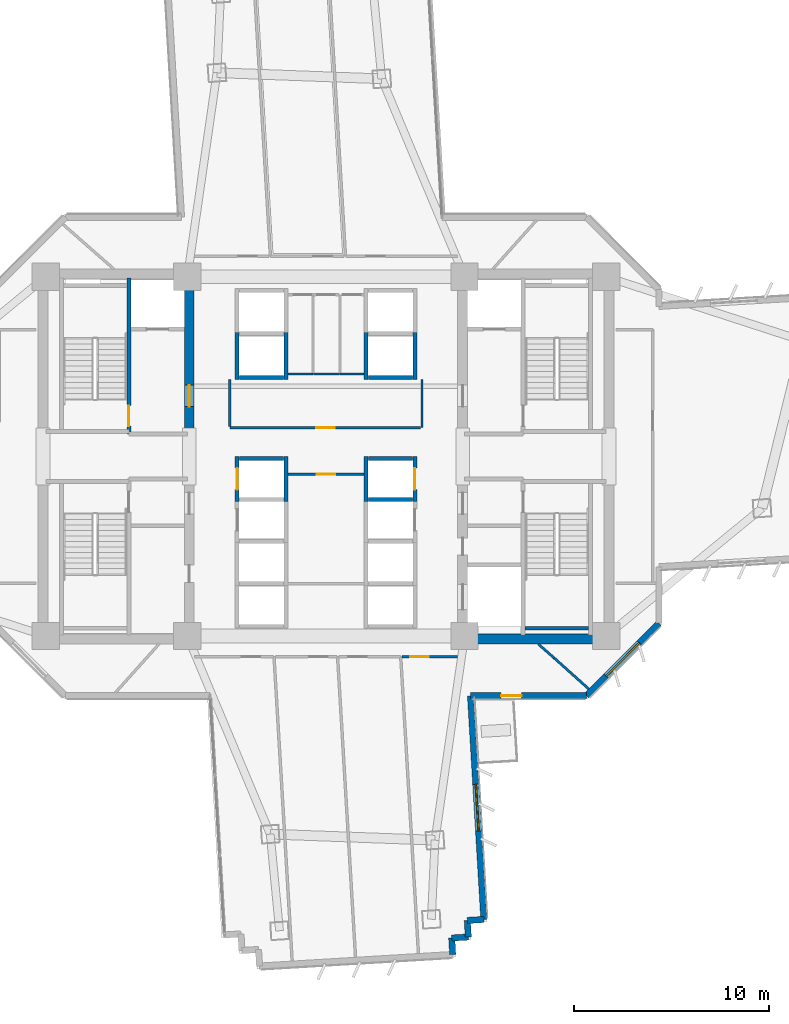
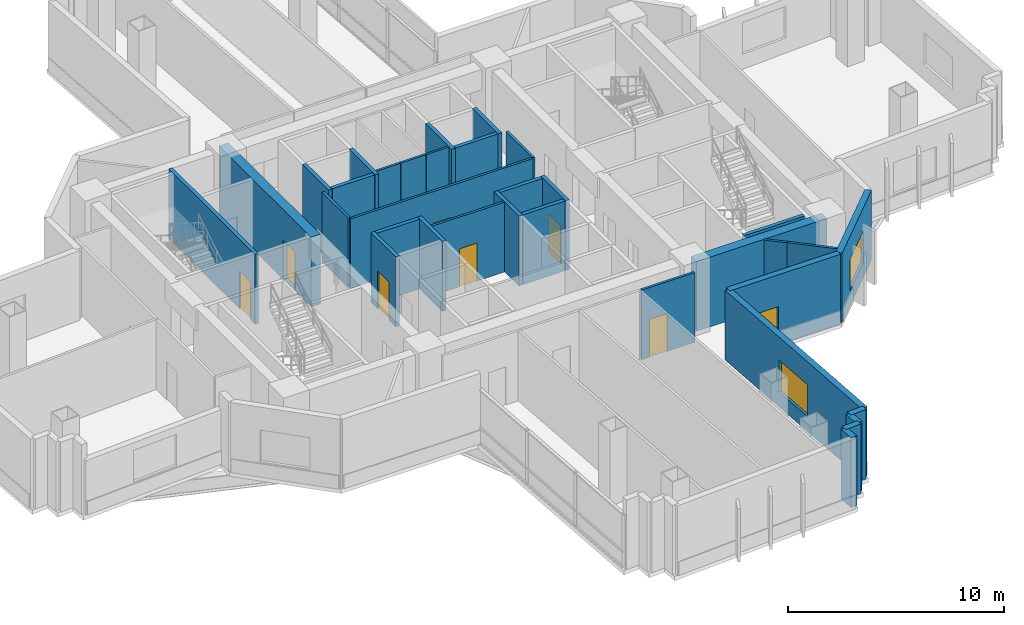
# One storey, part 7 of 15: 34 walls, 8 doors, 2 windows, 10 openings.
"""IFC4 building model written with IfcOpenShell, lengths in metres."""

import ifcopenshell
import ifcopenshell.guid

model = None  # the IFC model being written
_history = None  # IfcOwnerHistory: only IFC2X3 demands one
_inside = {}  # id of a spatial element -> (the spatial element, [elements in it])
_under = {}  # id of a project, library or spatial element -> (it, [spatial elements below it])
_declared = {}  # id of a project -> (the project, [libraries it declares])
_typed = {}  # id of a type object -> (the type object, [elements of that type])
_made_of = {}  # id of a material, layer set ... -> (it, [elements and type objects made of it])


def new_model(schema):
    """Start an empty IFC model of exactly this schema.

    Asked for "IFC4X3", IfcOpenShell would pick the latest addendum, in which some entities
    have other attributes; the version numbers below select the first issue.
    IFC2X3 requires an IfcOwnerHistory on every rooted entity: one is made here for all.
    """
    global model, _history
    if schema == "IFC4X3":
        model = ifcopenshell.file(schema_version=(4, 3, 0, 0))
    else:
        model = ifcopenshell.file(schema=schema)
    _inside.clear()
    _under.clear()
    _declared.clear()
    _typed.clear()
    _made_of.clear()
    _history = None
    if model.schema == "IFC2X3":
        org = make("IfcOrganization", Name="unknown")
        user = make(
            "IfcPersonAndOrganization",
            ThePerson=make("IfcPerson", FamilyName="unknown"),
            TheOrganization=org,
        )
        app = make(
            "IfcApplication",
            ApplicationDeveloper=org,
            Version="unknown",
            ApplicationFullName="unknown",
            ApplicationIdentifier="unknown",
        )
        _history = make(
            "IfcOwnerHistory",
            OwningUser=user,
            OwningApplication=app,
            ChangeAction="ADDED",
            CreationDate=0,
        )
    return model


def make(cls, **values):
    """One entity of the class cls with the attributes given. An attribute that is None is left unset."""
    return model.create_entity(
        cls, **{name: value for name, value in values.items() if value is not None}
    )


def rooted(cls, **values):
    """An entity with a GlobalId (a new one), such as an element, a storey or a relation."""
    return make(cls, GlobalId=ifcopenshell.guid.new(), OwnerHistory=_history, **values)


def si_unit(unit_type, name, prefix=None):
    """IfcSIUnit, for example si_unit("LENGTHUNIT", "METRE", prefix="MILLI")."""
    return make("IfcSIUnit", UnitType=unit_type, Prefix=prefix, Name=name)


def assignment(units):
    """IfcUnitAssignment: the units of a project."""
    return None if units is None else make("IfcUnitAssignment", Units=units)


def point(xyz):
    """IfcCartesianPoint."""
    return None if xyz is None else make("IfcCartesianPoint", Coordinates=xyz)


def direction(xyz):
    """IfcDirection."""
    return None if xyz is None else make("IfcDirection", DirectionRatios=xyz)


def frame(location, z_axis=None, x_axis=None):
    """IfcAxis2Placement3D, a coordinate frame: its origin and axes. An axis left out is left unset."""
    return make(
        "IfcAxis2Placement3D",
        Location=point(location),
        Axis=direction(z_axis),
        RefDirection=direction(x_axis),
    )


def frame_2d(location, x_axis=None):
    """IfcAxis2Placement2D, a coordinate frame in the plane: its origin and x axis."""
    return make(
        "IfcAxis2Placement2D", Location=point(location), RefDirection=direction(x_axis)
    )


def origin():
    """The frame at (0, 0, 0) with its axes left unset."""
    return frame((0.0, 0.0, 0.0))


def place(relative_to, where):
    """IfcLocalPlacement: puts the frame where relative to a parent placement (None: the world)."""
    return make(
        "IfcLocalPlacement", PlacementRelTo=relative_to, RelativePlacement=where
    )


def context(
    kind, dimensions, precision=None, world=None, true_north=None, identifier=None
):
    """IfcGeometricRepresentationContext, for example the 3D "Model" context."""
    return make(
        "IfcGeometricRepresentationContext",
        ContextIdentifier=identifier,
        ContextType=kind,
        CoordinateSpaceDimension=dimensions,
        Precision=precision,
        WorldCoordinateSystem=world,
        TrueNorth=true_north,
    )


def subcontext(parent, identifier, kind, view, scale=None):
    """IfcGeometricRepresentationSubContext, for example "Body" below "Model"."""
    return make(
        "IfcGeometricRepresentationSubContext",
        ContextIdentifier=identifier,
        ContextType=kind,
        ParentContext=parent,
        TargetScale=scale,
        TargetView=view,
    )


def project(units=None, contexts=None):
    """IfcProject with its units and contexts."""
    return rooted(
        "IfcProject",
        Name="project",
        RepresentationContexts=contexts,
        UnitsInContext=assignment(units),
    )


def spatial(cls, under=None, at=None, **own):
    """A site, building, storey or space (cls), placed at a placement, below another one or the project."""
    s = rooted(cls, ObjectPlacement=at, **own)
    if under is not None:
        _under.setdefault(under.id(), (under, []))[1].append(s)
    return s


def profile(cls, at=None, kind="AREA", **sizes):
    """A parametric profile (cls). Its sizes go by their IFC names, for example OverallWidth=200.0."""
    return make(cls, ProfileType=kind, Position=at, **sizes)


def rectangle(**sizes):
    """IfcRectangleProfileDef."""
    return profile("IfcRectangleProfileDef", **sizes)


def extrude(swept, where, along, depth):
    """IfcExtrudedAreaSolid: the profile swept, set in the frame where, extruded along a direction by depth."""
    return make(
        "IfcExtrudedAreaSolid",
        SweptArea=swept,
        Position=where,
        ExtrudedDirection=direction(along),
        Depth=depth,
    )


def shape(context_of_items, identifier, shape_type, items):
    """IfcShapeRepresentation: the items that make up one representation, for example the "Body"."""
    return make(
        "IfcShapeRepresentation",
        ContextOfItems=context_of_items,
        RepresentationIdentifier=identifier,
        RepresentationType=shape_type,
        Items=items,
    )


def source(mapping_origin, context_of_items, identifier, shape_type, items):
    """IfcRepresentationMap: a shape defined once, which mapped items show again and again."""
    return make(
        "IfcRepresentationMap",
        MappingOrigin=mapping_origin,
        MappedRepresentation=shape(context_of_items, identifier, shape_type, items),
    )


def transform(
    local_origin,
    x_axis=None,
    y_axis=None,
    z_axis=None,
    scale=None,
    scale2=None,
    scale3=None,
    uniform=True,
):
    """IfcCartesianTransformationOperator3D, or its non-uniform kind. x_axis, y_axis, z_axis: its Axis1, 2, 3."""
    if uniform:
        return make(
            "IfcCartesianTransformationOperator3D",
            Axis1=direction(x_axis),
            Axis2=direction(y_axis),
            LocalOrigin=point(local_origin),
            Scale=scale,
            Axis3=direction(z_axis),
        )
    return make(
        "IfcCartesianTransformationOperator3DnonUniform",
        Axis1=direction(x_axis),
        Axis2=direction(y_axis),
        LocalOrigin=point(local_origin),
        Scale=scale,
        Axis3=direction(z_axis),
        Scale2=scale2,
        Scale3=scale3,
    )


def mapped(mapping_source, mapping_target):
    """IfcMappedItem: shows the shape of a source again, moved by a transform."""
    return make(
        "IfcMappedItem", MappingSource=mapping_source, MappingTarget=mapping_target
    )


def material(Name=None, Category=None):
    """IfcMaterial."""
    return make("IfcMaterial", Name=Name, Category=Category)


def layer(
    of_material, thickness, ventilated=None, Name=None, Category=None, Priority=None
):
    """IfcMaterialLayer: one layer of a wall or slab, of a material (None: an air gap)."""
    return make(
        "IfcMaterialLayer",
        Material=of_material,
        LayerThickness=thickness,
        IsVentilated=ventilated,
        Name=Name,
        Category=Category,
        Priority=Priority,
    )


def layer_set(layers, Name=None):
    """IfcMaterialLayerSet."""
    return make("IfcMaterialLayerSet", MaterialLayers=layers, LayerSetName=Name)


def made_of(thing, what):
    """Note that an element or type object is made of a material, layer set ...; save() writes the relation."""
    if what is not None:
        _made_of.setdefault(what.id(), (what, []))[1].append(thing)
    return thing


def type_object(cls, material=None, **own):
    """A type object (cls), such as IfcWallType, which elements share."""
    return made_of(rooted(cls, **own), material)


def element(
    cls,
    number,
    at=None,
    inside=None,
    cuts=None,
    type_object=None,
    material=None,
    context=None,
    identifier="Body",
    shape_type=None,
    held_by="IfcProductDefinitionShape",
    body=None,
    shapes=None,
    **own,
):
    """One element of the class cls, such as IfcWall. Its Tag is "e" and its number.

    at: its placement. inside: the storey or other place that contains it. cuts: it is an
    opening in that element (IfcRelVoidsElement). A single representation is given by context,
    identifier, shape_type and body (its items); several are given by shapes. held_by: the class
    of the entity that holds the representations. save() writes the other relations.
    """
    e = rooted(cls, Tag="e%d" % number, ObjectPlacement=at, **own)
    if body is not None:
        shapes = [shape(context, identifier, shape_type, body)]
    if shapes is not None:
        e.Representation = make(held_by, Representations=shapes)
    if inside is not None:
        _inside.setdefault(inside.id(), (inside, []))[1].append(e)
    if cuts is not None:
        rooted(
            "IfcRelVoidsElement", RelatingBuildingElement=cuts, RelatedOpeningElement=e
        )
    if type_object is not None:
        _typed.setdefault(type_object.id(), (type_object, []))[1].append(e)
    return made_of(e, material)


def fill(opening, filler):
    """IfcRelFillsElement: the door or window that sits in an opening."""
    return rooted(
        "IfcRelFillsElement",
        RelatingOpeningElement=opening,
        RelatedBuildingElement=filler,
    )


def aggregate(whole, parts):
    """IfcRelAggregates: a whole, such as a stair, and the parts it consists of."""
    return rooted("IfcRelAggregates", RelatingObject=whole, RelatedObjects=parts)


def save(model, path):
    """Write the relations noted so far, then the file.

    IfcRelAggregates (storeys below a building ...), IfcRelContainedInSpatialStructure (elements
    in a storey), IfcRelDefinesByType, IfcRelAssociatesMaterial and IfcRelDeclares: one each for
    every whole, place, type object, material and project.
    """
    for whole, parts in _under.values():
        aggregate(whole, parts)
    for where, things in _inside.values():
        rooted(
            "IfcRelContainedInSpatialStructure",
            RelatedElements=things,
            RelatingStructure=where,
        )
    for kind, things in _typed.values():
        rooted("IfcRelDefinesByType", RelatedObjects=things, RelatingType=kind)
    for what, things in _made_of.values():
        rooted("IfcRelAssociatesMaterial", RelatedObjects=things, RelatingMaterial=what)
    for by, libraries in _declared.values():
        rooted("IfcRelDeclares", RelatingContext=by, RelatedDefinitions=libraries)
    model.write(path)


model = new_model("IFC4")

# Units and contexts
model_context = context("Model", 3, precision=1e-05, world=origin(), true_north=direction((0.0, 1.0)))
body_context = subcontext(model_context, "Body", "Model", "MODEL_VIEW")
ifc_project = project(units=[si_unit("LENGTHUNIT", "METRE"), si_unit("AREAUNIT", "SQUARE_METRE"), si_unit("VOLUMEUNIT", "CUBIC_METRE"), si_unit("PLANEANGLEUNIT", "RADIAN"), si_unit("MASSUNIT", "GRAM", prefix="KILO")], contexts=[model_context])

# Site, building, storey
site_placement = place(None, origin())
site = spatial("IfcSite", under=ifc_project, at=site_placement, CompositionType="ELEMENT")
building_placement = place(site_placement, origin())
building = spatial("IfcBuilding", under=site, at=building_placement, Name="Zahravan Cultural Tower", CompositionType="ELEMENT")
storey_placement = place(building_placement, frame((0.0, 0.0, 66.89990234375)))
storey = spatial("IfcBuildingStorey", under=building, at=storey_placement, Name="L14", CompositionType="ELEMENT", Elevation=66.89990234375)

# Wall, opening, door
ifc_material_1 = material(Name="Concrete C60/75", Category="concrete")
ifc_layer_1 = layer(ifc_material_1, 0.5)
ifc_layer_set_1 = layer_set([ifc_layer_1], Name="Concrete C60/75")
wall_type_1 = type_object("IfcWallType", Name="CW-SHEAR-500-C60", PredefinedType="SHEAR", material=ifc_layer_set_1)
wall_1_placement = place(storey_placement, frame((29.0, 28.050048828125, 0.0), z_axis=(0.0, 0.0, 1.0), x_axis=(0.0, 1.0, 0.0)))
wall_1 = element("IfcWall", 1, at=wall_1_placement, inside=storey, type_object=wall_type_1, Name="L14 Core Shear Wall CW-W-EN-L14", PredefinedType="SHEAR", context=body_context, shape_type="SweptSolid", body=[
    extrude(rectangle(XDim=8.550048828125, YDim=0.5, at=frame_2d((4.27490234375, 0.0))), origin(), (0.0, 0.0, 1.0), 3.9501953125),
])
opening_1_placement = place(wall_1_placement, frame((1.5, 0.0, 0.0)))
opening_1 = element("IfcOpeningElement", 2, at=opening_1_placement, cuts=wall_1, Name="Opening D-L14-05", PredefinedType="OPENING", context=body_context, shape_type="SweptSolid", body=[
    extrude(rectangle(XDim=1.10009765625, YDim=2.199951171875, at=frame_2d((0.550048828125, 1.10009765625))), frame((0.0, 0.260009765625, 0.0), z_axis=(0.0, -1.0, 0.0), x_axis=(1.0, 0.0, 0.0)), (0.0, 0.0, 1.0), 0.52001953125),
])
ifc_material_2 = material(Name="Steel ASTM A572 Grade 50", Category="steel")
door_type_1 = type_object("IfcDoorType", Name="DR-LOBBY-1100", OperationType="NOTDEFINED", PredefinedType="DOOR", material=ifc_material_2)
shared_shape_1 = source(origin(), body_context, "Body", "SweptSolid", [
    extrude(rectangle(XDim=1.10009765625, YDim=2.199951171875, at=frame_2d((0.550048828125, 1.10009765625))), frame((0.0, 0.02490234375, 0.0), z_axis=(0.0, -1.0, 0.0), x_axis=(1.0, 0.0, 0.0)), (0.0, 0.0, 1.0), 0.050048828125),
])
door_1_placement = place(opening_1_placement, origin())
door_1 = element("IfcDoor", 3, at=door_1_placement, inside=storey, type_object=door_type_1, Name="L14 Door D-L14-05", OperationType="SINGLE_SWING_RIGHT", OverallHeight=2.199951171875, OverallWidth=1.10009765625, PredefinedType="DOOR", context=body_context, shape_type="MappedRepresentation", body=[
    mapped(shared_shape_1, transform((0.0, 0.0, 0.0), x_axis=(1.0, 0.0, 0.0), y_axis=(0.0, 1.0, 0.0), z_axis=(0.0, 0.0, 1.0), scale=1.0)),
])
fill(opening_1, door_1)

# Wall, opening, window
ifc_material_3 = material(Name="Precast concrete C40/50", Category="concrete")
ifc_layer_2 = layer(ifc_material_3, 0.320068359375)
ifc_layer_set_2 = layer_set([ifc_layer_2], Name="Precast concrete C40/50")
wall_type_2 = type_object("IfcWallType", Name="EW-TC-320", PredefinedType="SOLIDWALL", material=ifc_layer_set_2)
wall_2_placement = place(storey_placement, frame((53.06005859375, 18.4580078125, 0.0), z_axis=(0.0, 0.0, 1.0), x_axis=(-0.707106781187, -0.707106781187, 0.0)))
wall_2 = element("IfcWall", 4, at=wall_2_placement, inside=storey, type_object=wall_type_2, Name="L14 Exterior Masonry Frame Wall 13", PredefinedType="SOLIDWALL", context=body_context, shape_type="SweptSolid", body=[
    extrude(rectangle(XDim=5.258056640625, YDim=0.320068359375, at=frame_2d((2.62890625, 0.0))), origin(), (0.0, 0.0, 1.0), 3.9501953125),
])
opening_2_placement = place(wall_2_placement, frame((1.428955078125, 0.0, 0.85009765625)))
opening_2 = element("IfcOpeningElement", 5, at=opening_2_placement, cuts=wall_2, Name="Opening WN-01", PredefinedType="OPENING", context=body_context, shape_type="SweptSolid", body=[
    extrude(rectangle(XDim=2.39990234375, YDim=1.800048828125, at=frame_2d((1.199951171875, 0.89990234375))), frame((0.0, 0.169921875, 0.0), z_axis=(0.0, -1.0, 0.0), x_axis=(1.0, 0.0, 0.0)), (0.0, 0.0, 1.0), 0.340087890625),
])
ifc_material_4 = material(Name="Low-E solar-control double glazing", Category="glass")
window_type = type_object("IfcWindowType", Name="WN-REC-2400X1800", PartitioningType="DOUBLE_PANEL_VERTICAL", PredefinedType="WINDOW", material=ifc_material_4)
shared_shape_2 = source(origin(), body_context, "Body", "SweptSolid", [
    extrude(rectangle(XDim=2.39990234375, YDim=1.800048828125, at=frame_2d((1.199951171875, 0.89990234375))), frame((0.0, 0.030029296875, 0.0), z_axis=(0.0, -1.0, 0.0), x_axis=(1.0, 0.0, 0.0)), (0.0, 0.0, 1.0), 0.06005859375),
])
window_1_placement = place(opening_2_placement, origin())
window_1 = element("IfcWindow", 6, at=window_1_placement, inside=storey, type_object=window_type, Name="L14 Recessed Solar Window 04", OverallHeight=1.800048828125, OverallWidth=2.39990234375, PartitioningType="DOUBLE_PANEL_VERTICAL", PredefinedType="WINDOW", context=body_context, shape_type="MappedRepresentation", body=[
    mapped(shared_shape_2, transform((0.0, 0.0, 0.0), x_axis=(1.0, 0.0, 0.0), y_axis=(0.0, 1.0, 0.0), z_axis=(0.0, 0.0, 1.0), scale=1.0)),
])
fill(opening_2, window_1)

# Wall, opening, door
wall_3_placement = place(storey_placement, frame((49.342041015625, 14.739990234375, 0.0), z_axis=(0.0, 0.0, 1.0), x_axis=(-1.0, 0.0, 0.0)))
wall_3 = element("IfcWall", 7, at=wall_3_placement, inside=storey, type_object=wall_type_2, Name="L14 Exterior Masonry Frame Wall 14", PredefinedType="SOLIDWALL", context=body_context, shape_type="SweptSolid", body=[
    extrude(rectangle(XDim=5.9375, YDim=0.320068359375, at=frame_2d((2.96875, 0.0))), origin(), (0.0, 0.0, 1.0), 3.9501953125),
])
opening_3_placement = place(wall_3_placement, frame((3.323974609375, 0.0, 0.0)))
opening_3 = element("IfcOpeningElement", 8, at=opening_3_placement, cuts=wall_3, Name="Opening D-L14-TR-SE", PredefinedType="OPENING", context=body_context, shape_type="SweptSolid", body=[
    extrude(rectangle(XDim=1.050048828125, YDim=2.14990234375, at=frame_2d((0.52490234375, 1.074951171875))), frame((0.0, 0.169921875, 0.0), z_axis=(0.0, -1.0, 0.0), x_axis=(1.0, 0.0, 0.0)), (0.0, 0.0, 1.0), 0.340087890625),
])
ifc_material_5 = material(Name="Anodised bronze-aluminium mullion", Category="aluminium")
door_type_2 = type_object("IfcDoorType", Name="DR-TERR-1050", OperationType="NOTDEFINED", PredefinedType="DOOR", material=ifc_material_5)
shared_shape_3 = source(origin(), body_context, "Body", "SweptSolid", [
    extrude(rectangle(XDim=1.050048828125, YDim=2.14990234375, at=frame_2d((0.52490234375, 1.074951171875))), frame((0.0, 0.02490234375, 0.0), z_axis=(0.0, -1.0, 0.0), x_axis=(1.0, 0.0, 0.0)), (0.0, 0.0, 1.0), 0.050048828125),
])
door_2_placement = place(opening_3_placement, origin())
door_2 = element("IfcDoor", 9, at=door_2_placement, inside=storey, type_object=door_type_2, Name="L14 Terrace Access Door SE", OperationType="SINGLE_SWING_LEFT", OverallHeight=2.14990234375, OverallWidth=1.050048828125, PredefinedType="DOOR", context=body_context, shape_type="MappedRepresentation", body=[
    mapped(shared_shape_3, transform((0.0, 0.0, 0.0), x_axis=(1.0, 0.0, 0.0), y_axis=(0.0, 1.0, 0.0), z_axis=(0.0, 0.0, 1.0), scale=1.0)),
])
fill(opening_3, door_2)

# Wall, opening, window
wall_4_placement = place(storey_placement, frame((43.404541015625, 14.739990234375, 0.0), z_axis=(0.0, 0.0, 1.0), x_axis=(0.059651994121, -0.998219234235, 0.0)))
wall_4 = element("IfcWall", 10, at=wall_4_placement, inside=storey, type_object=wall_type_2, Name="L14 Exterior Masonry Frame Wall 15", PredefinedType="SOLIDWALL", context=body_context, shape_type="SweptSolid", body=[
    extrude(rectangle(XDim=11.480224609375, YDim=0.320068359375, at=frame_2d((5.740234375, 0.0))), origin(), (0.0, 0.0, 1.0), 3.9501953125),
])
opening_4_placement = place(wall_4_placement, frame((4.5400390625, 0.0, 0.85009765625)))
opening_4 = element("IfcOpeningElement", 11, at=opening_4_placement, cuts=wall_4, Name="Opening WN-01", PredefinedType="OPENING", context=body_context, shape_type="SweptSolid", body=[
    extrude(rectangle(XDim=2.39990234375, YDim=1.800048828125, at=frame_2d((1.199951171875, 0.89990234375))), frame((0.0, 0.169921875, 0.0), z_axis=(0.0, -1.0, 0.0), x_axis=(1.0, 0.0, 0.0)), (0.0, 0.0, 1.0), 0.340087890625),
])
window_2_placement = place(opening_4_placement, origin())
window_2 = element("IfcWindow", 12, at=window_2_placement, inside=storey, type_object=window_type, Name="L14 Recessed Solar Window 05", OverallHeight=1.800048828125, OverallWidth=2.39990234375, PartitioningType="DOUBLE_PANEL_VERTICAL", PredefinedType="WINDOW", context=body_context, shape_type="MappedRepresentation", body=[
    mapped(shared_shape_2, transform((0.0, 0.0, 0.0), x_axis=(1.0, 0.0, 0.0), y_axis=(0.0, 1.0, 0.0), z_axis=(0.0, 0.0, 1.0), scale=1.0)),
])
fill(opening_4, window_2)

# Wall, opening, door
ifc_material_6 = material(Name="Gypsum plasterboard partition")
ifc_layer_3 = layer(ifc_material_6, 0.125)
ifc_layer_set_3 = layer_set([ifc_layer_3], Name="Gypsum plasterboard partition")
wall_type_3 = type_object("IfcWallType", Name="W-PART-125", PredefinedType="PARTITIONING", material=ifc_layer_set_3)
wall_5_placement = place(storey_placement, frame((34.054931640625, 26.080078125, 0.0), z_axis=(0.0, 0.0, 1.0), x_axis=(1.0, 0.0, 0.0)))
wall_5 = element("IfcWall", 13, at=wall_5_placement, inside=storey, type_object=wall_type_3, Name="L14 Interior Wall 074", PredefinedType="PARTITIONING", context=body_context, shape_type="SweptSolid", body=[
    extrude(rectangle(XDim=3.89013671875, YDim=0.125, at=frame_2d((1.945068359375, 0.0))), origin(), (0.0, 0.0, 1.0), 3.9501953125),
])
opening_5_placement = place(wall_5_placement, frame((1.469970703125, 0.0, 0.0)))
opening_5 = element("IfcOpeningElement", 14, at=opening_5_placement, cuts=wall_5, Name="Opening D-L14-14", PredefinedType="OPENING", context=body_context, shape_type="SweptSolid", body=[
    extrude(rectangle(XDim=0.949951171875, YDim=2.14990234375, at=frame_2d((0.47509765625, 1.074951171875))), frame((0.0, 0.072509765625, 0.0), z_axis=(0.0, -1.0, 0.0), x_axis=(1.0, 0.0, 0.0)), (0.0, 0.0, 1.0), 0.14501953125),
])
door_type_3 = type_object("IfcDoorType", Name="DR-ROOM-950", OperationType="NOTDEFINED", PredefinedType="DOOR", material=ifc_material_5)
shared_shape_4 = source(origin(), body_context, "Body", "SweptSolid", [
    extrude(rectangle(XDim=0.949951171875, YDim=2.14990234375, at=frame_2d((0.47509765625, 1.074951171875))), frame((0.0, 0.02490234375, 0.0), z_axis=(0.0, -1.0, 0.0), x_axis=(1.0, 0.0, 0.0)), (0.0, 0.0, 1.0), 0.050048828125),
])
door_3_placement = place(opening_5_placement, origin())
door_3 = element("IfcDoor", 15, at=door_3_placement, inside=storey, type_object=door_type_3, Name="L14 Door D-L14-14", OperationType="SINGLE_SWING_LEFT", OverallHeight=2.14990234375, OverallWidth=0.949951171875, PredefinedType="DOOR", context=body_context, shape_type="MappedRepresentation", body=[
    mapped(shared_shape_4, transform((0.0, 0.0, 0.0), x_axis=(1.0, 0.0, 0.0), y_axis=(0.0, 1.0, 0.0), z_axis=(0.0, 0.0, 1.0), scale=1.0)),
])
fill(opening_5, door_3)

wall_6_placement = place(storey_placement, frame((40.8525390625, 28.47998046875, 0.0), z_axis=(0.0, 0.0, 1.0), x_axis=(-1.0, 0.0, 0.0)))
wall_6 = element("IfcWall", 16, at=wall_6_placement, inside=storey, type_object=wall_type_3, Name="L14 Interior Wall 077", PredefinedType="PARTITIONING", context=body_context, shape_type="SweptSolid", body=[
    extrude(rectangle(XDim=9.7724609375, YDim=0.125, at=frame_2d((4.88623046875, 0.0))), origin(), (0.0, 0.0, 1.0), 3.9501953125),
])
opening_6_placement = place(wall_6_placement, frame((4.411376953125, 0.0, 0.0)))
opening_6 = element("IfcOpeningElement", 17, at=opening_6_placement, cuts=wall_6, Name="Opening D-L14-15", PredefinedType="OPENING", context=body_context, shape_type="SweptSolid", body=[
    extrude(rectangle(XDim=0.949951171875, YDim=2.14990234375, at=frame_2d((0.47509765625, 1.074951171875))), frame((0.0, 0.072509765625, 0.0), z_axis=(0.0, -1.0, 0.0), x_axis=(1.0, 0.0, 0.0)), (0.0, 0.0, 1.0), 0.14501953125),
])
door_4_placement = place(opening_6_placement, origin())
door_4 = element("IfcDoor", 18, at=door_4_placement, inside=storey, type_object=door_type_3, Name="L14 Door D-L14-15", OperationType="SINGLE_SWING_RIGHT", OverallHeight=2.14990234375, OverallWidth=0.949951171875, PredefinedType="DOOR", context=body_context, shape_type="MappedRepresentation", body=[
    mapped(shared_shape_4, transform((0.0, 0.0, 0.0), x_axis=(1.0, 0.0, 0.0), y_axis=(0.0, 1.0, 0.0), z_axis=(0.0, 0.0, 1.0), scale=1.0)),
])
fill(opening_6, door_4)

wall_7_placement = place(storey_placement, frame((39.896484375, 16.739990234375, 0.0), z_axis=(0.0, 0.0, 1.0), x_axis=(0.999999908279, 0.000428302171, 0.0)))
wall_7 = element("IfcWall", 19, at=wall_7_placement, inside=storey, type_object=wall_type_3, Name="L14 Interior Wall 089", PredefinedType="PARTITIONING", context=body_context, shape_type="SweptSolid", body=[
    extrude(rectangle(XDim=2.85009765625, YDim=0.125, at=frame_2d((1.425048828125, 0.0))), origin(), (0.0, 0.0, 1.0), 3.9501953125),
])
opening_7_placement = place(wall_7_placement, frame((0.41796875, 0.0, 0.0)))
opening_7 = element("IfcOpeningElement", 20, at=opening_7_placement, cuts=wall_7, Name="Opening D-L14-25", PredefinedType="OPENING", context=body_context, shape_type="SweptSolid", body=[
    extrude(rectangle(XDim=0.949951171875, YDim=2.14990234375, at=frame_2d((0.47509765625, 1.074951171875))), frame((0.0, 0.072509765625, 0.0), z_axis=(0.0, -1.0, 0.0), x_axis=(1.0, 0.0, 0.0)), (0.0, 0.0, 1.0), 0.14501953125),
])
door_5_placement = place(opening_7_placement, origin())
door_5 = element("IfcDoor", 21, at=door_5_placement, inside=storey, type_object=door_type_3, Name="L14 Door D-L14-25", OperationType="SINGLE_SWING_RIGHT", OverallHeight=2.14990234375, OverallWidth=0.949951171875, PredefinedType="DOOR", context=body_context, shape_type="MappedRepresentation", body=[
    mapped(shared_shape_4, transform((0.0, 0.0, 0.0), x_axis=(1.0, 0.0, 0.0), y_axis=(0.0, 1.0, 0.0), z_axis=(0.0, 0.0, 1.0), scale=1.0)),
])
fill(opening_7, door_5)

ifc_material_7 = material(Name="Concrete C45/55", Category="concrete")
ifc_layer_4 = layer(ifc_material_7, 0.199951171875)
ifc_layer_set_4 = layer_set([ifc_layer_4], Name="Concrete C45/55")
wall_type_4 = type_object("IfcWallType", Name="W-SHAFT-200", PredefinedType="SOLIDWALL", material=ifc_layer_set_4)
wall_8_placement = place(storey_placement, frame((25.89990234375, 28.14990234375, 0.0), z_axis=(0.0, 0.0, 1.0), x_axis=(0.0, 1.0, 0.0)))
wall_8 = element("IfcWall", 22, at=wall_8_placement, inside=storey, type_object=wall_type_4, Name="L14 Interior Wall 006", PredefinedType="SOLIDWALL", context=body_context, shape_type="SweptSolid", body=[
    extrude(rectangle(XDim=8.0, YDim=0.199951171875, at=frame_2d((4.0, 0.0))), origin(), (0.0, 0.0, 1.0), 3.9501953125),
])
opening_8_placement = place(wall_8_placement, frame((0.39990234375, 0.0, 0.0)))
opening_8 = element("IfcOpeningElement", 23, at=opening_8_placement, cuts=wall_8, Name="Opening D-L14-01", PredefinedType="OPENING", context=body_context, shape_type="SweptSolid", body=[
    extrude(rectangle(XDim=1.050048828125, YDim=2.14990234375, at=frame_2d((0.52490234375, 1.074951171875))), frame((0.0, 0.10986328125, 0.0), z_axis=(0.0, -1.0, 0.0), x_axis=(1.0, 0.0, 0.0)), (0.0, 0.0, 1.0), 0.219970703125),
])
door_type_4 = type_object("IfcDoorType", Name="DR-STAIR-1050", OperationType="NOTDEFINED", PredefinedType="DOOR", material=ifc_material_2)
door_6_placement = place(opening_8_placement, origin())
door_6 = element("IfcDoor", 24, at=door_6_placement, inside=storey, type_object=door_type_4, Name="L14 Door D-L14-01", OperationType="SINGLE_SWING_RIGHT", OverallHeight=2.14990234375, OverallWidth=1.050048828125, PredefinedType="DOOR", context=body_context, shape_type="MappedRepresentation", body=[
    mapped(shared_shape_3, transform((0.0, 0.0, 0.0), x_axis=(1.0, 0.0, 0.0), y_axis=(0.0, 1.0, 0.0), z_axis=(0.0, 0.0, 1.0), scale=1.0)),
])
fill(opening_8, door_6)

wall_9_placement = place(storey_placement, frame((31.449951171875, 24.699951171875, 0.0), z_axis=(0.0, 0.0, 1.0), x_axis=(0.0, 1.0, 0.0)))
wall_9 = element("IfcWall", 25, at=wall_9_placement, inside=storey, type_object=wall_type_4, Name="L14 Interior Wall 054", PredefinedType="SOLIDWALL", context=body_context, shape_type="SweptSolid", body=[
    extrude(rectangle(XDim=2.300048828125, YDim=0.199951171875, at=frame_2d((1.14990234375, 0.0))), origin(), (0.0, 0.0, 1.0), 3.9501953125),
])
opening_9_placement = place(wall_9_placement, frame((0.60009765625, 0.0, 0.0)))
opening_9 = element("IfcOpeningElement", 26, at=opening_9_placement, cuts=wall_9, Name="Opening LD-L14-04", PredefinedType="OPENING", context=body_context, shape_type="SweptSolid", body=[
    extrude(rectangle(XDim=1.10009765625, YDim=2.14990234375, at=frame_2d((0.550048828125, 1.074951171875))), frame((0.0, 0.10986328125, 0.0), z_axis=(0.0, -1.0, 0.0), x_axis=(1.0, 0.0, 0.0)), (0.0, 0.0, 1.0), 0.219970703125),
])
door_type_5 = type_object("IfcDoorType", Name="DR-LIFT-1100", OperationType="DOUBLE_DOOR_SLIDING", PredefinedType="DOOR", material=ifc_material_2)
shared_shape_5 = source(origin(), body_context, "Body", "SweptSolid", [
    extrude(rectangle(XDim=1.10009765625, YDim=2.14990234375, at=frame_2d((0.550048828125, 1.074951171875))), frame((0.0, 0.02490234375, 0.0), z_axis=(0.0, -1.0, 0.0), x_axis=(1.0, 0.0, 0.0)), (0.0, 0.0, 1.0), 0.050048828125),
])
door_7_placement = place(opening_9_placement, origin())
door_7 = element("IfcDoor", 27, at=door_7_placement, inside=storey, type_object=door_type_5, Name="L14 Door LD-L14-04", OperationType="DOUBLE_DOOR_SLIDING", OverallHeight=2.14990234375, OverallWidth=1.10009765625, PredefinedType="DOOR", context=body_context, shape_type="MappedRepresentation", body=[
    mapped(shared_shape_5, transform((0.0, 0.0, 0.0), x_axis=(1.0, 0.0, 0.0), y_axis=(0.0, 1.0, 0.0), z_axis=(0.0, 0.0, 1.0), scale=1.0)),
])
fill(opening_9, door_7)

wall_10_placement = place(storey_placement, frame((40.550048828125, 24.699951171875, 0.0), z_axis=(0.0, 0.0, 1.0), x_axis=(0.0, 1.0, 0.0)))
wall_10 = element("IfcWall", 28, at=wall_10_placement, inside=storey, type_object=wall_type_4, Name="L14 Interior Wall 061", PredefinedType="SOLIDWALL", context=body_context, shape_type="SweptSolid", body=[
    extrude(rectangle(XDim=2.300048828125, YDim=0.199951171875, at=frame_2d((1.14990234375, 0.0))), origin(), (0.0, 0.0, 1.0), 3.9501953125),
])
opening_10_placement = place(wall_10_placement, frame((0.60009765625, 0.0, 0.0)))
opening_10 = element("IfcOpeningElement", 29, at=opening_10_placement, cuts=wall_10, Name="Opening LD-L14-06", PredefinedType="OPENING", context=body_context, shape_type="SweptSolid", body=[
    extrude(rectangle(XDim=1.10009765625, YDim=2.14990234375, at=frame_2d((0.550048828125, 1.074951171875))), frame((0.0, 0.10986328125, 0.0), z_axis=(0.0, -1.0, 0.0), x_axis=(1.0, 0.0, 0.0)), (0.0, 0.0, 1.0), 0.219970703125),
])
door_8_placement = place(opening_10_placement, origin())
door_8 = element("IfcDoor", 30, at=door_8_placement, inside=storey, type_object=door_type_5, Name="L14 Door LD-L14-06", OperationType="DOUBLE_DOOR_SLIDING", OverallHeight=2.14990234375, OverallWidth=1.10009765625, PredefinedType="DOOR", context=body_context, shape_type="MappedRepresentation", body=[
    mapped(shared_shape_5, transform((0.0, 0.0, 0.0), x_axis=(1.0, 0.0, 0.0), y_axis=(0.0, 1.0, 0.0), z_axis=(0.0, 0.0, 1.0), scale=1.0)),
])
fill(opening_10, door_8)

# Walls
shared_shape_6 = source(origin(), body_context, "Body", "SweptSolid", [
    extrude(rectangle(XDim=7.0, YDim=0.5, at=frame_2d((3.5, 0.0))), origin(), (0.0, 0.0, 1.0), 3.9501953125),
])
wall_11_placement = place(storey_placement, frame((43.25, 17.64990234375, 0.0), z_axis=(0.0, 0.0, 1.0), x_axis=(1.0, 0.0, 0.0)))
element("IfcWall", 31, at=wall_11_placement, inside=storey, type_object=wall_type_1, Name="L14 Core Shear Wall CW-E-S-L14", PredefinedType="SHEAR", context=body_context, shape_type="MappedRepresentation", body=[
    mapped(shared_shape_6, transform((0.0, 0.0, 0.0), x_axis=(1.0, 0.0, 0.0), y_axis=(0.0, 1.0, 0.0), z_axis=(0.0, 0.0, 1.0), scale=1.0)),
])
shared_shape_7 = source(origin(), body_context, "Body", "SweptSolid", [
    extrude(rectangle(XDim=0.849853515625, YDim=0.320068359375, at=frame_2d((0.4248046875, 0.0))), origin(), (0.0, 0.0, 1.0), 3.9501953125),
])
for number, where, z_axis, x_axis, name in (
    (32, (44.08935546875, 3.2802734375, 0.0), (0.0, 0.0, 1.0), (-0.998213421964, -0.059749177487, 0.0), "L14 Exterior Masonry Frame Wall 16"),
    (33, (43.240966796875, 3.2294921875, 0.0), (0.0, 0.0, 1.0), (0.059462939961, -0.998230513845, 0.0), "L14 Exterior Masonry Frame Wall 17"),
    (34, (43.29150390625, 2.381103515625, 0.0), (0.0, 0.0, 1.0), (-0.998213421964, -0.059749177487, 0.0), "L14 Exterior Masonry Frame Wall 18"),
    (35, (42.443115234375, 2.330322265625, 0.0), (0.0, 0.0, 1.0), (0.059749177487, -0.998213421964, 0.0), "L14 Exterior Masonry Frame Wall 19"),
):
    element("IfcWall", number, at=place(storey_placement, frame(where, z_axis=z_axis, x_axis=x_axis)), inside=storey, type_object=wall_type_2, Name=name, PredefinedType="SOLIDWALL", context=body_context, shape_type="MappedRepresentation", body=[
        mapped(shared_shape_7, transform((0.0, 0.0, 0.0), x_axis=(1.0, 0.0, 0.0), y_axis=(0.0, 1.0, 0.0), z_axis=(0.0, 0.0, 1.0), scale=1.0)),
    ])
shared_shape_8 = source(origin(), body_context, "Body", "SweptSolid", [
    extrude(rectangle(XDim=3.25, YDim=0.199951171875, at=frame_2d((1.625, 0.0))), origin(), (0.0, 0.0, 1.0), 3.9501953125),
])
wall_12_placement = place(storey_placement, frame((46.199951171875, 18.199951171875, 0.0), z_axis=(0.0, 0.0, 1.0), x_axis=(1.0, 0.0, 0.0)))
element("IfcWall", 36, at=wall_12_placement, inside=storey, type_object=wall_type_4, Name="L14 Interior Wall 020", PredefinedType="SOLIDWALL", context=body_context, shape_type="MappedRepresentation", body=[
    mapped(shared_shape_8, transform((0.0, 0.0, 0.0), x_axis=(1.0, 0.0, 0.0), y_axis=(0.0, 1.0, 0.0), z_axis=(0.0, 0.0, 1.0), scale=1.0)),
])
shared_shape_9 = source(origin(), body_context, "Body", "SweptSolid", [
    extrude(rectangle(XDim=2.400146484375, YDim=0.199951171875, at=frame_2d((1.2001953125, 0.0))), origin(), (0.0, 0.0, 1.0), 3.9501953125),
])
for number, where, z_axis, x_axis, name in (
    (37, (31.449951171875, 30.949951171875, 0.0), (0.0, 0.0, 1.0), (0.0, 1.0, 0.0), "L14 Interior Wall 030"),
    (38, (33.949951171875, 30.949951171875, 0.0), (0.0, 0.0, 1.0), (0.0, 1.0, 0.0), "L14 Interior Wall 031"),
    (39, (38.050048828125, 30.949951171875, 0.0), (0.0, 0.0, 1.0), (0.0, 1.0, 0.0), "L14 Interior Wall 037"),
    (40, (40.550048828125, 30.949951171875, 0.0), (0.0, 0.0, 1.0), (0.0, 1.0, 0.0), "L14 Interior Wall 038"),
):
    element("IfcWall", number, at=place(storey_placement, frame(where, z_axis=z_axis, x_axis=x_axis)), inside=storey, type_object=wall_type_4, Name=name, PredefinedType="SOLIDWALL", context=body_context, shape_type="MappedRepresentation", body=[
        mapped(shared_shape_9, transform((0.0, 0.0, 0.0), x_axis=(1.0, 0.0, 0.0), y_axis=(0.0, 1.0, 0.0), z_axis=(0.0, 0.0, 1.0), scale=1.0)),
    ])
shared_shape_10 = source(origin(), body_context, "Body", "SweptSolid", [
    extrude(rectangle(XDim=2.260009765625, YDim=0.199951171875, at=frame_2d((1.1298828125, 0.0))), origin(), (0.0, 0.0, 1.0), 3.9501953125),
])
for number, where, z_axis, x_axis, name in (
    (41, (31.570068359375, 31.050048828125, 0.0), (0.0, 0.0, 1.0), (1.0, 0.0, 0.0), "L14 Interior Wall 032"),
    (42, (38.169921875, 31.050048828125, 0.0), (0.0, 0.0, 1.0), (1.0, 0.0, 0.0), "L14 Interior Wall 039"),
    (43, (31.570068359375, 26.89990234375, 0.0), (0.0, 0.0, 1.0), (1.0, 0.0, 0.0), "L14 Interior Wall 057"),
    (44, (38.169921875, 24.800048828125, 0.0), (0.0, 0.0, 1.0), (1.0, 0.0, 0.0), "L14 Interior Wall 062"),
    (45, (38.169921875, 26.89990234375, 0.0), (0.0, 0.0, 1.0), (1.0, 0.0, 0.0), "L14 Interior Wall 063"),
):
    element("IfcWall", number, at=place(storey_placement, frame(where, z_axis=z_axis, x_axis=x_axis)), inside=storey, type_object=wall_type_4, Name=name, PredefinedType="SOLIDWALL", context=body_context, shape_type="MappedRepresentation", body=[
        mapped(shared_shape_10, transform((0.0, 0.0, 0.0), x_axis=(1.0, 0.0, 0.0), y_axis=(0.0, 1.0, 0.0), z_axis=(0.0, 0.0, 1.0), scale=1.0)),
    ])
shared_shape_11 = source(origin(), body_context, "Body", "SweptSolid", [
    extrude(rectangle(XDim=2.300048828125, YDim=0.199951171875, at=frame_2d((1.14990234375, 0.0))), origin(), (0.0, 0.0, 1.0), 3.9501953125),
])
for number, where, z_axis, x_axis, name in (
    (46, (33.949951171875, 24.699951171875, 0.0), (0.0, 0.0, 1.0), (0.0, 1.0, 0.0), "L14 Interior Wall 055"),
    (47, (38.050048828125, 24.699951171875, 0.0), (0.0, 0.0, 1.0), (0.0, 1.0, 0.0), "L14 Interior Wall 060"),
):
    element("IfcWall", number, at=place(storey_placement, frame(where, z_axis=z_axis, x_axis=x_axis)), inside=storey, type_object=wall_type_4, Name=name, PredefinedType="SOLIDWALL", context=body_context, shape_type="MappedRepresentation", body=[
        mapped(shared_shape_11, transform((0.0, 0.0, 0.0), x_axis=(1.0, 0.0, 0.0), y_axis=(0.0, 1.0, 0.0), z_axis=(0.0, 0.0, 1.0), scale=1.0)),
    ])
shared_shape_12 = source(origin(), body_context, "Body", "SweptSolid", [
    extrude(rectangle(XDim=2.40234375, YDim=0.125, at=frame_2d((1.201171875, 0.0))), origin(), (0.0, 0.0, 1.0), 3.9501953125),
])
wall_13_placement = place(storey_placement, frame((31.080078125, 28.547607421875, 0.0), z_axis=(0.0, 0.0, 1.0), x_axis=(0.0, 1.0, 0.0)))
element("IfcWall", 48, at=wall_13_placement, inside=storey, type_object=wall_type_3, Name="L14 Interior Wall 078", PredefinedType="PARTITIONING", context=body_context, shape_type="MappedRepresentation", body=[
    mapped(shared_shape_12, transform((0.0, 0.0, 0.0), x_axis=(1.0, 0.0, 0.0), y_axis=(0.0, 1.0, 0.0), z_axis=(0.0, 0.0, 1.0), scale=1.0)),
])
shared_shape_13 = source(origin(), body_context, "Body", "SweptSolid", [
    extrude(rectangle(XDim=2.469970703125, YDim=0.125, at=frame_2d((1.23486328125, 0.0))), origin(), (0.0, 0.0, 1.0), 3.9501953125),
])
wall_14_placement = place(storey_placement, frame((40.919921875, 30.949951171875, 0.0), z_axis=(0.0, 0.0, 1.0), x_axis=(0.0, -1.0, 0.0)))
element("IfcWall", 49, at=wall_14_placement, inside=storey, type_object=wall_type_3, Name="L14 Interior Wall 076", PredefinedType="PARTITIONING", context=body_context, shape_type="MappedRepresentation", body=[
    mapped(shared_shape_13, transform((0.0, 0.0, 0.0), x_axis=(1.0, 0.0, 0.0), y_axis=(0.0, 1.0, 0.0), z_axis=(0.0, 0.0, 1.0), scale=1.0)),
])
ifc_layer_5 = layer(ifc_material_6, 0.114990234375)
ifc_layer_set_5 = layer_set([ifc_layer_5], Name="Gypsum plasterboard partition")
wall_type_5 = type_object("IfcWallType", Name="W-WC-115", PredefinedType="PARTITIONING", material=ifc_layer_set_5)
shared_shape_14 = source(origin(), body_context, "Body", "SweptSolid", [
    extrude(rectangle(XDim=1.22509765625, YDim=0.114990234375, at=frame_2d((0.612548828125, 0.0))), origin(), (0.0, 0.0, 1.0), 3.9501953125),
])
wall_15_placement = place(storey_placement, frame((37.945068359375, 31.219970703125, 0.0), z_axis=(0.0, 0.0, 1.0), x_axis=(-1.0, 0.0, 0.0)))
element("IfcWall", 50, at=wall_15_placement, inside=storey, type_object=wall_type_5, Name="L14 Interior Wall 066", PredefinedType="PARTITIONING", context=body_context, shape_type="MappedRepresentation", body=[
    mapped(shared_shape_14, transform((0.0, 0.0, 0.0), x_axis=(1.0, 0.0, 0.0), y_axis=(0.0, 1.0, 0.0), z_axis=(0.0, 0.0, 1.0), scale=1.0)),
])
shared_shape_15 = source(origin(), body_context, "Body", "SweptSolid", [
    extrude(rectangle(XDim=1.28515625, YDim=0.114990234375, at=frame_2d((0.642578125, 0.0))), origin(), (0.0, 0.0, 1.0), 3.9501953125),
])
wall_16_placement = place(storey_placement, frame((35.340087890625, 31.219970703125, 0.0), z_axis=(0.0, 0.0, 1.0), x_axis=(-1.0, 0.0, 0.0)))
element("IfcWall", 51, at=wall_16_placement, inside=storey, type_object=wall_type_5, Name="L14 Interior Wall 069", PredefinedType="PARTITIONING", context=body_context, shape_type="MappedRepresentation", body=[
    mapped(shared_shape_15, transform((0.0, 0.0, 0.0), x_axis=(1.0, 0.0, 0.0), y_axis=(0.0, 1.0, 0.0), z_axis=(0.0, 0.0, 1.0), scale=1.0)),
])
shared_shape_16 = source(origin(), body_context, "Body", "SweptSolid", [
    extrude(rectangle(XDim=1.33984375, YDim=0.114990234375, at=frame_2d((0.669921875, 0.0))), origin(), (0.0, 0.0, 1.0), 3.9501953125),
])
wall_17_placement = place(storey_placement, frame((36.699951171875, 31.219970703125, 0.0), z_axis=(0.0, 0.0, 1.0), x_axis=(-1.0, 0.0, 0.0)))
element("IfcWall", 52, at=wall_17_placement, inside=storey, type_object=wall_type_5, Name="L14 Interior Wall 072", PredefinedType="PARTITIONING", context=body_context, shape_type="MappedRepresentation", body=[
    mapped(shared_shape_16, transform((0.0, 0.0, 0.0), x_axis=(1.0, 0.0, 0.0), y_axis=(0.0, 1.0, 0.0), z_axis=(0.0, 0.0, 1.0), scale=1.0)),
])
shared_shape_17 = source(origin(), body_context, "Body", "SweptSolid", [
    extrude(rectangle(XDim=1.098876953125, YDim=0.125, at=frame_2d((0.54931640625, 0.0))), origin(), (0.0, 0.0, 1.0), 3.9501953125),
])
wall_18_placement = place(storey_placement, frame((46.87109375, 17.39501953125, 0.0), z_axis=(0.0, 0.0, 1.0), x_axis=(0.750977912422, -0.660327324177, 0.0)))
element("IfcWall", 53, at=wall_18_placement, inside=storey, type_object=wall_type_3, Name="L14 Interior Wall 090", PredefinedType="PARTITIONING", context=body_context, shape_type="MappedRepresentation", body=[
    mapped(shared_shape_17, transform((0.0, 0.0, 0.0), x_axis=(1.0, 0.0, 0.0), y_axis=(0.0, 1.0, 0.0), z_axis=(0.0, 0.0, 1.0), scale=1.0)),
])
shared_shape_18 = source(origin(), body_context, "Body", "SweptSolid", [
    extrude(rectangle(XDim=2.36669921875, YDim=0.125, at=frame_2d((1.183349609375, 0.0))), origin(), (0.0, 0.0, 1.0), 3.9501953125),
])
wall_19_placement = place(storey_placement, frame((47.6962890625, 16.66943359375, 0.0), z_axis=(0.0, 0.0, 1.0), x_axis=(0.744928255706, -0.667144582419, 0.0)))
element("IfcWall", 54, at=wall_19_placement, inside=storey, type_object=wall_type_3, Name="L14 Interior Wall 091", PredefinedType="PARTITIONING", context=body_context, shape_type="MappedRepresentation", body=[
    mapped(shared_shape_18, transform((0.0, 0.0, 0.0), x_axis=(1.0, 0.0, 0.0), y_axis=(0.0, 1.0, 0.0), z_axis=(0.0, 0.0, 1.0), scale=1.0)),
])

save(model, "model.ifc")
